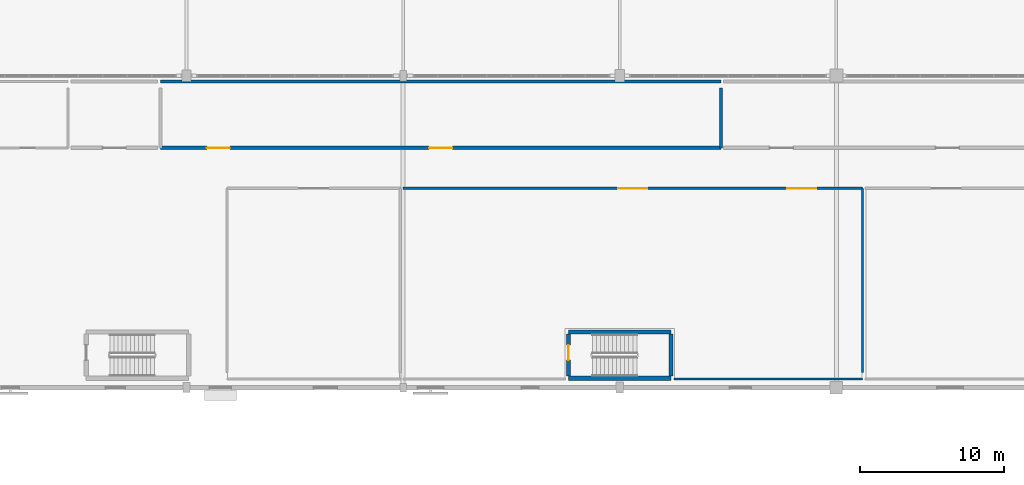
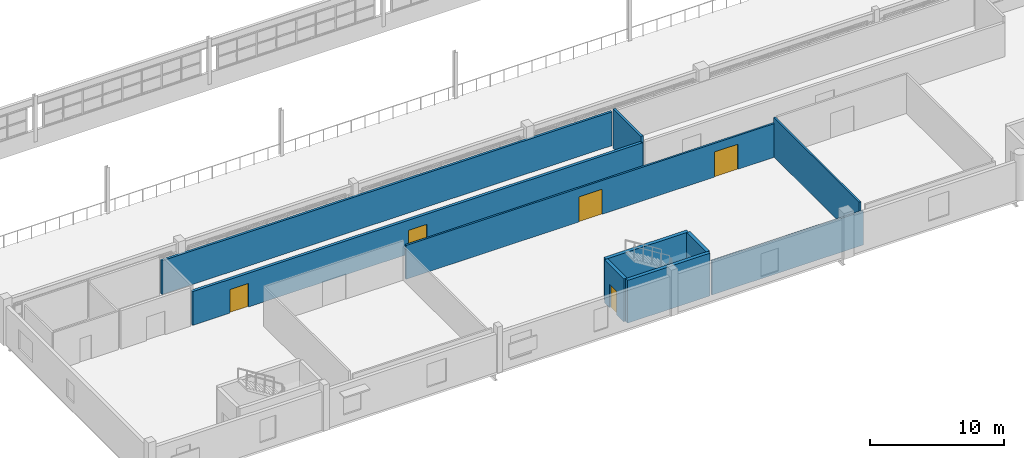
# One storey, part 64 of 92: 10 walls, 5 doors, 5 openings.
"""IFC4 building model written with IfcOpenShell, lengths in metres."""

from ifc_helpers import new_model, si_unit, direction, frame, frame_2d, origin, place, context, subcontext, project, spatial, rectangle, extrude, material, layer, layer_set, type_object, element, fill, save


model = new_model("IFC4")

# Units and contexts
model_context = context("Model", 3, precision=1e-05, world=origin(), true_north=direction((0.0, 1.0)))
body_context = subcontext(model_context, "Body", "Model", "MODEL_VIEW")
ifc_project = project(units=[si_unit("LENGTHUNIT", "METRE"), si_unit("AREAUNIT", "SQUARE_METRE"), si_unit("VOLUMEUNIT", "CUBIC_METRE"), si_unit("PLANEANGLEUNIT", "RADIAN"), si_unit("MASSUNIT", "GRAM", prefix="KILO")], contexts=[model_context])

# Site, building, storey
site_placement = place(None, origin())
site = spatial("IfcSite", under=ifc_project, at=site_placement, CompositionType="ELEMENT")
building_placement = place(site_placement, origin())
building = spatial("IfcBuilding", under=site, at=building_placement, Name="Solanera Park Tramway Depot", CompositionType="ELEMENT")
storey_placement = place(building_placement, frame((0.0, 0.0, 4.800048828125)))
storey = spatial("IfcBuildingStorey", under=building, at=storey_placement, Name="L01", CompositionType="ELEMENT", Elevation=4.800048828125)

# Walls
ifc_material_1 = material(Name="Concrete N32 (C32/40)", Category="concrete")
ifc_layer_1 = layer(ifc_material_1, 0.14990234375)
ifc_layer_set_1 = layer_set([ifc_layer_1], Name="Concrete N32 (C32/40)")
wall_type_1 = type_object("IfcWallType", Name="Acoustic Partition 150", PredefinedType="PARTITIONING", material=ifc_layer_set_1)
wall_1_placement = place(storey_placement, frame((61.800048828125, 11.39990234375, 0.0), z_axis=(0.0, 0.0, 1.0), x_axis=(-1.0, 0.0, 0.0)))
element("IfcWall", 1, at=wall_1_placement, inside=storey, type_object=wall_type_1, Name="On-Board Signalling and ATP Bench Lab Dividing Wall", PredefinedType="PARTITIONING", context=body_context, shape_type="SweptSolid", body=[
    extrude(rectangle(XDim=13.050048828125, YDim=0.14990234375, at=frame_2d((6.52490234375, 0.0))), origin(), (0.0, 0.0, 1.0), 3.08203125),
])
wall_2_placement = place(storey_placement, frame((61.800048828125, 11.85009765625, 0.0), z_axis=(0.0, 0.0, 1.0), x_axis=(0.0, 1.0, 0.0)))
element("IfcWall", 2, at=wall_2_placement, inside=storey, type_object=wall_type_1, Name="On-Board Signalling and ATP Bench Lab Dividing Wall", PredefinedType="PARTITIONING", context=body_context, shape_type="SweptSolid", body=[
    extrude(rectangle(XDim=12.75, YDim=0.14990234375, at=frame_2d((6.375, 0.0))), origin(), (0.0, 0.0, 1.0), 3.599853515625),
])
ifc_material_2 = material(Name="Concrete N40 (C40/50)", Category="concrete")
ifc_layer_2 = layer(ifc_material_2, 0.300048828125)
ifc_layer_set_2 = layer_set([ifc_layer_2], Name="Concrete N40 (C40/50)")
wall_type_2 = type_object("IfcWallType", Name="Core Shear Wall 300", PredefinedType="SHEAR", material=ifc_layer_set_2)
for number, where, z_axis, x_axis, name in (
    (3, (41.449951171875, 11.449951171875, 0.0), (0.0, 0.0, 1.0), (1.0, 0.0, 0.0), "ST-12 L01 Shear Core Wall S"),
    (4, (48.550048828125, 14.64990234375, 0.0), (0.0, 0.0, 1.0), (-1.0, 0.0, 0.0), "ST-12 L01 Shear Core Wall N"),
):
    element("IfcWall", number, at=place(storey_placement, frame(where, z_axis=z_axis, x_axis=x_axis)), inside=storey, type_object=wall_type_2, Name=name, PredefinedType="SHEAR", context=body_context, shape_type="SweptSolid", body=[
        extrude(rectangle(XDim=7.10009765625, YDim=0.300048828125, at=frame_2d((3.550048828125, 0.0))), origin(), (0.0, 0.0, 1.0), 3.89990234375),
    ])
wall_3_placement = place(storey_placement, frame((48.550048828125, 11.60009765625, 0.0), z_axis=(0.0, 0.0, 1.0), x_axis=(0.0, 1.0, 0.0)))
element("IfcWall", 5, at=wall_3_placement, inside=storey, type_object=wall_type_2, Name="ST-12 L01 Shear Core Wall E", PredefinedType="SHEAR", context=body_context, shape_type="SweptSolid", body=[
    extrude(rectangle(XDim=2.89990234375, YDim=0.300048828125, at=frame_2d((1.449951171875, 0.0))), origin(), (0.0, 0.0, 1.0), 3.89990234375),
])

# Wall, opening, door
wall_4_placement = place(storey_placement, frame((41.449951171875, 14.5, 0.0), z_axis=(0.0, 0.0, 1.0), x_axis=(0.0, -1.0, 0.0)))
wall_4 = element("IfcWall", 6, at=wall_4_placement, inside=storey, type_object=wall_type_2, Name="ST-12 L01 Shear Core Wall W", PredefinedType="SHEAR", context=body_context, shape_type="SweptSolid", body=[
    extrude(rectangle(XDim=2.89990234375, YDim=0.300048828125, at=frame_2d((1.449951171875, 0.0))), origin(), (0.0, 0.0, 1.0), 3.89990234375),
])
opening_1_placement = place(wall_4_placement, frame((0.75, 0.0, 0.0)))
opening_1 = element("IfcOpeningElement", 7, at=opening_1_placement, cuts=wall_4, Name="Opening FD-S1L", PredefinedType="OPENING", context=body_context, shape_type="SweptSolid", body=[
    extrude(rectangle(XDim=1.050048828125, YDim=2.14990234375, at=frame_2d((0.52490234375, 1.074951171875))), frame((0.0, 0.16015625, 0.0), z_axis=(0.0, -1.0, 0.0), x_axis=(1.0, 0.0, 0.0)), (0.0, 0.0, 1.0), 0.320068359375),
])
ifc_material_3 = material(Name="Fire-rated steel or solid-core hardwood door leaf", Category="steel")
door_type_1 = type_object("IfcDoorType", Name="Stair Fire Door L 1050x2150", OperationType="SINGLE_SWING_LEFT", PredefinedType="DOOR", material=ifc_material_3)
door_1_placement = place(opening_1_placement, origin())
door_1 = element("IfcDoor", 8, at=door_1_placement, inside=storey, type_object=door_type_1, Name="ST-12 L01 Stair Fire Door", OperationType="SINGLE_SWING_LEFT", OverallHeight=2.14990234375, OverallWidth=1.050048828125, PredefinedType="DOOR", context=body_context, shape_type="SweptSolid", body=[
    extrude(rectangle(XDim=1.050048828125, YDim=2.14990234375, at=frame_2d((0.52490234375, 1.074951171875))), frame((0.0, 0.02490234375, 0.0), z_axis=(0.0, -1.0, 0.0), x_axis=(1.0, 0.0, 0.0)), (0.0, 0.0, 1.0), 0.050048828125),
])
fill(opening_1, door_1)

# Walls
ifc_material_4 = material(Name="Concrete N32 (C32/40)", Category="concrete")
ifc_layer_3 = layer(ifc_material_4, 0.199951171875)
ifc_layer_set_3 = layer_set([ifc_layer_3], Name="Concrete N32 (C32/40)")
wall_type_3 = type_object("IfcWallType", Name="Fire Compartment Wall 200", PredefinedType="SOLIDWALL", material=ifc_layer_set_3)
wall_5_placement = place(storey_placement, frame((13.199951171875, 32.0, 0.0), z_axis=(0.0, 0.0, 1.0), x_axis=(1.0, 0.0, 0.0)))
element("IfcWall", 9, at=wall_5_placement, inside=storey, type_object=wall_type_3, Name="Automated Kardex Rotable Parts Store Dividing Wall", PredefinedType="SOLIDWALL", context=body_context, shape_type="SweptSolid", body=[
    extrude(rectangle(XDim=38.800048828125, YDim=0.199951171875, at=frame_2d((19.39990234375, 0.0))), origin(), (0.0, 0.0, 1.0), 3.08203125),
])
wall_6_placement = place(storey_placement, frame((52.0, 27.39990234375, 0.0), z_axis=(0.0, 0.0, 1.0), x_axis=(0.0, 1.0, 0.0)))
element("IfcWall", 10, at=wall_6_placement, inside=storey, type_object=wall_type_3, Name="Automated Kardex Rotable Parts Store Dividing Wall", PredefinedType="SOLIDWALL", context=body_context, shape_type="SweptSolid", body=[
    extrude(rectangle(XDim=4.150146484375, YDim=0.199951171875, at=frame_2d((2.0751953125, 0.0))), origin(), (0.0, 0.0, 1.0), 3.599853515625),
])

# Wall, openings, doors
ifc_material_5 = material(Name="Concrete N32 (C32/40)", Category="concrete")
ifc_layer_4 = layer(ifc_material_5, 0.159912109375)
ifc_layer_set_4 = layer_set([ifc_layer_4], Name="Concrete N32 (C32/40)")
wall_type_4 = type_object("IfcWallType", Name="Fire Corridor Wall 160", PredefinedType="PARTITIONING", material=ifc_layer_set_4)
wall_7_placement = place(storey_placement, frame((30.0, 24.60009765625, 0.0), z_axis=(0.0, 0.0, 1.0), x_axis=(1.0, 0.0, 0.0)))
wall_7 = element("IfcWall", 11, at=wall_7_placement, inside=storey, type_object=wall_type_4, Name="On-Board Signalling and ATP Bench Lab Corridor Wall", PredefinedType="PARTITIONING", context=body_context, shape_type="SweptSolid", body=[
    extrude(rectangle(XDim=31.800048828125, YDim=0.159912109375, at=frame_2d((15.89990234375, 0.0))), origin(), (0.0, 0.0, 1.0), 3.08203125),
])
opening_2_placement = place(wall_7_placement, frame((14.89990234375, 0.0, 0.0)))
opening_2 = element("IfcOpeningElement", 12, at=opening_2_placement, cuts=wall_7, Name="Opening ID-K2D", PredefinedType="OPENING", context=body_context, shape_type="SweptSolid", body=[
    extrude(rectangle(XDim=2.0, YDim=2.300048828125, at=frame_2d((1.0, 1.14990234375))), frame((0.0, 0.08984375, 0.0), z_axis=(0.0, -1.0, 0.0), x_axis=(1.0, 0.0, 0.0)), (0.0, 0.0, 1.0), 0.179931640625),
])
opening_3_placement = place(wall_7_placement, frame((26.60009765625, 0.0, 0.0)))
opening_3 = element("IfcOpeningElement", 13, at=opening_3_placement, cuts=wall_7, Name="Opening ID-K2D", PredefinedType="OPENING", context=body_context, shape_type="SweptSolid", body=[
    extrude(rectangle(XDim=2.0, YDim=2.300048828125, at=frame_2d((1.0, 1.14990234375))), frame((0.0, 0.08984375, 0.0), z_axis=(0.0, -1.0, 0.0), x_axis=(1.0, 0.0, 0.0)), (0.0, 0.0, 1.0), 0.179931640625),
])
ifc_material_6 = material(Name="Fire-rated steel or solid-core hardwood door leaf", Category="steel")
door_type_2 = type_object("IfcDoorType", Name="Workshop Bay Double Door 2000x2300", OperationType="DOUBLE_SWING_LEFT", PredefinedType="DOOR", material=ifc_material_6)
door_2_placement = place(opening_2_placement, origin())
door_2 = element("IfcDoor", 14, at=door_2_placement, inside=storey, type_object=door_type_2, Name="On-Board Signalling and ATP Bench Lab Door", OperationType="DOUBLE_SWING_LEFT", OverallHeight=2.300048828125, OverallWidth=2.0, PredefinedType="DOOR", context=body_context, shape_type="SweptSolid", body=[
    extrude(rectangle(XDim=2.0, YDim=2.300048828125, at=frame_2d((1.0, 1.14990234375))), frame((0.0, 0.02490234375, 0.0), z_axis=(0.0, -1.0, 0.0), x_axis=(1.0, 0.0, 0.0)), (0.0, 0.0, 1.0), 0.050048828125),
])
fill(opening_2, door_2)
door_3_placement = place(opening_3_placement, origin())
door_3 = element("IfcDoor", 15, at=door_3_placement, inside=storey, type_object=door_type_2, Name="On-Board Signalling and ATP Bench Lab Secondary Exit Door", OperationType="DOUBLE_SWING_LEFT", OverallHeight=2.300048828125, OverallWidth=2.0, PredefinedType="DOOR", context=body_context, shape_type="SweptSolid", body=[
    extrude(rectangle(XDim=2.0, YDim=2.300048828125, at=frame_2d((1.0, 1.14990234375))), frame((0.0, 0.02490234375, 0.0), z_axis=(0.0, -1.0, 0.0), x_axis=(1.0, 0.0, 0.0)), (0.0, 0.0, 1.0), 0.050048828125),
])
fill(opening_3, door_3)

ifc_material_7 = material(Name="Concrete N32 (C32/40)", Category="concrete")
ifc_layer_5 = layer(ifc_material_7, 0.239990234375)
ifc_layer_set_5 = layer_set([ifc_layer_5], Name="Concrete N32 (C32/40)")
wall_type_5 = type_object("IfcWallType", Name="Inter-Class Fire Wall 240", PredefinedType="SOLIDWALL", material=ifc_layer_set_5)
wall_8_placement = place(storey_placement, frame((52.0, 27.39990234375, 0.0), z_axis=(0.0, 0.0, 1.0), x_axis=(-1.0, 0.0, 0.0)))
wall_8 = element("IfcWall", 16, at=wall_8_placement, inside=storey, type_object=wall_type_5, Name="Automated Kardex Rotable Parts Store Corridor Wall", PredefinedType="SOLIDWALL", context=body_context, shape_type="SweptSolid", body=[
    extrude(rectangle(XDim=38.800048828125, YDim=0.239990234375, at=frame_2d((19.39990234375, 0.0))), origin(), (0.0, 0.0, 1.0), 3.08203125),
])
opening_4_placement = place(wall_8_placement, frame((18.60009765625, 0.0, 0.0)))
opening_4 = element("IfcOpeningElement", 17, at=opening_4_placement, cuts=wall_8, Name="Opening FD-K2D", PredefinedType="OPENING", context=body_context, shape_type="SweptSolid", body=[
    extrude(rectangle(XDim=1.60009765625, YDim=2.14990234375, at=frame_2d((0.800048828125, 1.074951171875))), frame((0.0, 0.1298828125, 0.0), z_axis=(0.0, -1.0, 0.0), x_axis=(1.0, 0.0, 0.0)), (0.0, 0.0, 1.0), 0.260009765625),
])
opening_5_placement = place(wall_8_placement, frame((34.0, 0.0, 0.0)))
opening_5 = element("IfcOpeningElement", 18, at=opening_5_placement, cuts=wall_8, Name="Opening FD-K2D", PredefinedType="OPENING", context=body_context, shape_type="SweptSolid", body=[
    extrude(rectangle(XDim=1.60009765625, YDim=2.14990234375, at=frame_2d((0.800048828125, 1.074951171875))), frame((0.0, 0.1298828125, 0.0), z_axis=(0.0, -1.0, 0.0), x_axis=(1.0, 0.0, 0.0)), (0.0, 0.0, 1.0), 0.260009765625),
])
ifc_material_8 = material(Name="Fire-rated steel or solid-core hardwood door leaf", Category="steel")
door_type_3 = type_object("IfcDoorType", Name="Store Double Fire Door 1600x2150", OperationType="DOUBLE_SWING_RIGHT", PredefinedType="DOOR", material=ifc_material_8)
door_4_placement = place(opening_4_placement, origin())
door_4 = element("IfcDoor", 19, at=door_4_placement, inside=storey, type_object=door_type_3, Name="Automated Kardex Rotable Parts Store Door", OperationType="DOUBLE_SWING_RIGHT", OverallHeight=2.14990234375, OverallWidth=1.60009765625, PredefinedType="DOOR", context=body_context, shape_type="SweptSolid", body=[
    extrude(rectangle(XDim=1.60009765625, YDim=2.14990234375, at=frame_2d((0.800048828125, 1.074951171875))), frame((0.0, 0.02490234375, 0.0), z_axis=(0.0, -1.0, 0.0), x_axis=(1.0, 0.0, 0.0)), (0.0, 0.0, 1.0), 0.050048828125),
])
fill(opening_4, door_4)
door_5_placement = place(opening_5_placement, origin())
door_5 = element("IfcDoor", 20, at=door_5_placement, inside=storey, type_object=door_type_3, Name="Automated Kardex Rotable Parts Store Secondary Exit Door", OperationType="DOUBLE_SWING_RIGHT", OverallHeight=2.14990234375, OverallWidth=1.60009765625, PredefinedType="DOOR", context=body_context, shape_type="SweptSolid", body=[
    extrude(rectangle(XDim=1.60009765625, YDim=2.14990234375, at=frame_2d((0.800048828125, 1.074951171875))), frame((0.0, 0.02490234375, 0.0), z_axis=(0.0, -1.0, 0.0), x_axis=(1.0, 0.0, 0.0)), (0.0, 0.0, 1.0), 0.050048828125),
])
fill(opening_5, door_5)

save(model, "model.ifc")
